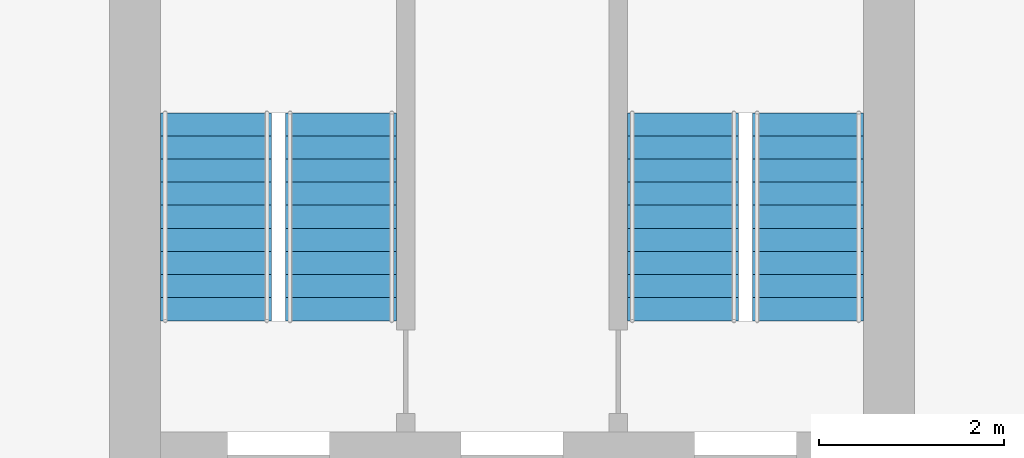
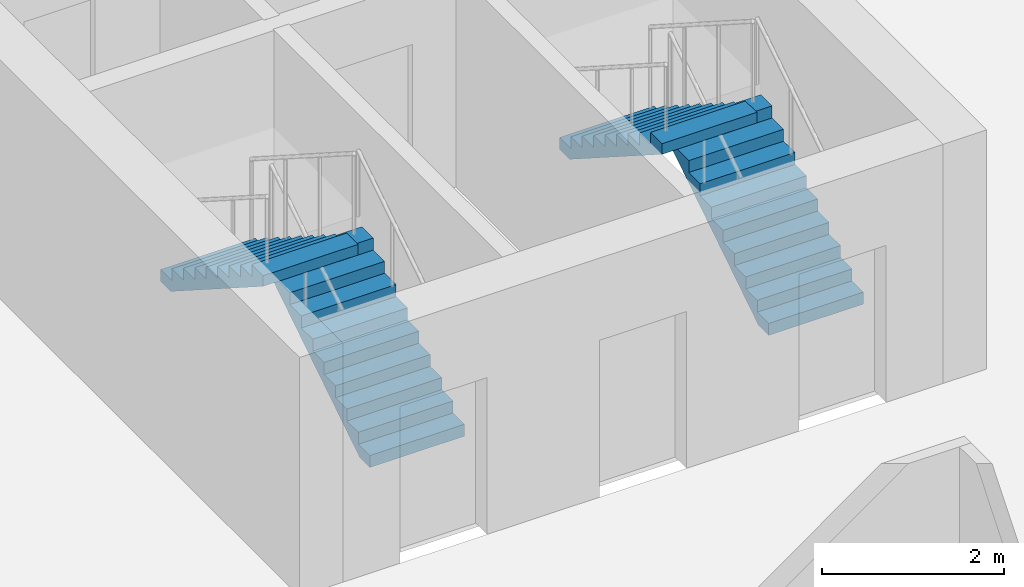
# One storey, part 10 of 13: 4 stair flights, 2 elements without a shape of their own.
"""IFC4 building model written with IfcOpenShell, lengths in metres."""

from ifc_helpers import new_model, si_unit, direction, frame, origin, place, context, subcontext, project, spatial, polyline, outline, extrude, material, type_object, element, aggregate, save


model = new_model("IFC4")

# Units and contexts
model_context = context("Model", 3, precision=1e-05, world=origin(), true_north=direction((0.0, 1.0)))
body_context = subcontext(model_context, "Body", "Model", "MODEL_VIEW")
ifc_project = project(units=[si_unit("LENGTHUNIT", "METRE"), si_unit("AREAUNIT", "SQUARE_METRE"), si_unit("VOLUMEUNIT", "CUBIC_METRE"), si_unit("PLANEANGLEUNIT", "RADIAN"), si_unit("MASSUNIT", "GRAM", prefix="KILO")], contexts=[model_context])

# Site, building, storey
site_placement = place(None, origin())
site = spatial("IfcSite", under=ifc_project, at=site_placement, CompositionType="ELEMENT")
building_placement = place(site_placement, origin())
building = spatial("IfcBuilding", under=site, at=building_placement, Name="Girih Gate Residences", CompositionType="ELEMENT")
storey_placement = place(building_placement, frame((0.0, 0.0, 99.199951171875)))
storey = spatial("IfcBuildingStorey", under=building, at=storey_placement, Name="L27", CompositionType="ELEMENT", Elevation=99.199951171875)

# Stair, stair flights
ifc_material = material(Name="Concrete C40/50", Category="concrete")
stair_type = type_object("IfcStairType", Name="Exit stair", PredefinedType="HALF_TURN_STAIR", material=ifc_material)
stair_1_placement = place(storey_placement, origin())
stair_1 = element("IfcStair", 1, at=stair_1_placement, inside=storey, type_object=stair_type, Name="L27 Exit Stair ST-E1", PredefinedType="HALF_TURN_STAIR")
stair_flight_type = type_object("IfcStairFlightType", Name="Stair flight 1200", PredefinedType="STRAIGHT", material=ifc_material)
stair_flight_1_placement = place(storey_placement, frame((43.699951171875, 28.89990234375, 0.0), z_axis=(0.0, 0.0, 1.0), x_axis=(0.0, 1.0, 0.0)))
stair_flight_1 = element("IfcStairFlight", 2, at=stair_flight_1_placement, type_object=stair_flight_type, Name="ST-E1 flight 1", NumberOfRisers=10, NumberOfTreads=9, PredefinedType="STRAIGHT", RiserHeight=0.16, TreadLength=0.25, context=body_context, shape_type="SweptSolid", body=[
    extrude(outline(polyline([(0.0, 0.0), (0.0, 0.159912109375), (0.25, 0.159912109375), (0.25, 0.320068359375), (0.5, 0.320068359375), (0.5, 0.47998046875), (0.75, 0.47998046875), (0.75, 0.639892578125), (1.0, 0.639892578125), (1.0, 0.800048828125), (1.25, 0.800048828125), (1.25, 0.9599609375), (1.5, 0.9599609375), (1.5, 1.1201171875), (1.75, 1.1201171875), (1.75, 1.280029296875), (2.0, 1.280029296875), (2.0, 1.43994140625), (2.25, 1.43994140625), (2.25, 1.60009765625), (2.25, 1.29736328125), (0.222900390625, 0.0), (0.0, 0.0)])), frame((0.0, 0.60009765625, 0.0), z_axis=(0.0, -1.0, 0.0), x_axis=(1.0, 0.0, 0.0)), (0.0, 0.0, 1.0), 1.199951171875),
])
stair_flight_2_placement = place(storey_placement, frame((42.35009765625, 31.14990234375, 1.60009765625), z_axis=(0.0, 0.0, 1.0), x_axis=(0.0, -1.0, 0.0)))
stair_flight_2 = element("IfcStairFlight", 3, at=stair_flight_2_placement, type_object=stair_flight_type, Name="ST-E1 flight 2", NumberOfRisers=10, NumberOfTreads=9, PredefinedType="STRAIGHT", RiserHeight=0.16, TreadLength=0.25, context=body_context, shape_type="SweptSolid", body=[
    extrude(outline(polyline([(0.0, 0.0), (0.0, 0.159912109375), (0.25, 0.159912109375), (0.25, 0.320068359375), (0.5, 0.320068359375), (0.5, 0.47998046875), (0.75, 0.47998046875), (0.75, 0.639892578125), (1.0, 0.639892578125), (1.0, 0.800048828125), (1.25, 0.800048828125), (1.25, 0.9599609375), (1.5, 0.9599609375), (1.5, 1.1201171875), (1.75, 1.1201171875), (1.75, 1.280029296875), (2.0, 1.280029296875), (2.0, 1.43994140625), (2.25, 1.43994140625), (2.25, 1.60009765625), (2.25, 1.29736328125), (0.222900390625, 0.0), (0.0, 0.0)])), frame((0.0, 0.60009765625, 0.0), z_axis=(0.0, -1.0, 0.0), x_axis=(1.0, 0.0, 0.0)), (0.0, 0.0, 1.0), 1.199951171875),
])
aggregate(stair_1, [stair_flight_1, stair_flight_2])

stair_2_placement = place(storey_placement, origin())
stair_2 = element("IfcStair", 4, at=stair_2_placement, inside=storey, type_object=stair_type, Name="L27 Exit Stair ST-E2", PredefinedType="HALF_TURN_STAIR")
stair_flight_3_placement = place(storey_placement, frame((38.64990234375, 28.89990234375, 0.0), z_axis=(0.0, 0.0, 1.0), x_axis=(0.0, 1.0, 0.0)))
stair_flight_3 = element("IfcStairFlight", 5, at=stair_flight_3_placement, type_object=stair_flight_type, Name="ST-E2 flight 1", NumberOfRisers=10, NumberOfTreads=9, PredefinedType="STRAIGHT", RiserHeight=0.16, TreadLength=0.25, context=body_context, shape_type="SweptSolid", body=[
    extrude(outline(polyline([(0.0, 0.0), (0.0, 0.159912109375), (0.25, 0.159912109375), (0.25, 0.320068359375), (0.5, 0.320068359375), (0.5, 0.47998046875), (0.75, 0.47998046875), (0.75, 0.639892578125), (1.0, 0.639892578125), (1.0, 0.800048828125), (1.25, 0.800048828125), (1.25, 0.9599609375), (1.5, 0.9599609375), (1.5, 1.1201171875), (1.75, 1.1201171875), (1.75, 1.280029296875), (2.0, 1.280029296875), (2.0, 1.43994140625), (2.25, 1.43994140625), (2.25, 1.60009765625), (2.25, 1.29736328125), (0.222900390625, 0.0), (0.0, 0.0)])), frame((0.0, 0.60009765625, 0.0), z_axis=(0.0, -1.0, 0.0), x_axis=(1.0, 0.0, 0.0)), (0.0, 0.0, 1.0), 1.199951171875),
])
stair_flight_4_placement = place(storey_placement, frame((37.300048828125, 31.14990234375, 1.60009765625), z_axis=(0.0, 0.0, 1.0), x_axis=(0.0, -1.0, 0.0)))
stair_flight_4 = element("IfcStairFlight", 6, at=stair_flight_4_placement, type_object=stair_flight_type, Name="ST-E2 flight 2", NumberOfRisers=10, NumberOfTreads=9, PredefinedType="STRAIGHT", RiserHeight=0.16, TreadLength=0.25, context=body_context, shape_type="SweptSolid", body=[
    extrude(outline(polyline([(0.0, 0.0), (0.0, 0.159912109375), (0.25, 0.159912109375), (0.25, 0.320068359375), (0.5, 0.320068359375), (0.5, 0.47998046875), (0.75, 0.47998046875), (0.75, 0.639892578125), (1.0, 0.639892578125), (1.0, 0.800048828125), (1.25, 0.800048828125), (1.25, 0.9599609375), (1.5, 0.9599609375), (1.5, 1.1201171875), (1.75, 1.1201171875), (1.75, 1.280029296875), (2.0, 1.280029296875), (2.0, 1.43994140625), (2.25, 1.43994140625), (2.25, 1.60009765625), (2.25, 1.29736328125), (0.222900390625, 0.0), (0.0, 0.0)])), frame((0.0, 0.60009765625, 0.0), z_axis=(0.0, -1.0, 0.0), x_axis=(1.0, 0.0, 0.0)), (0.0, 0.0, 1.0), 1.199951171875),
])
aggregate(stair_2, [stair_flight_3, stair_flight_4])

save(model, "model.ifc")
